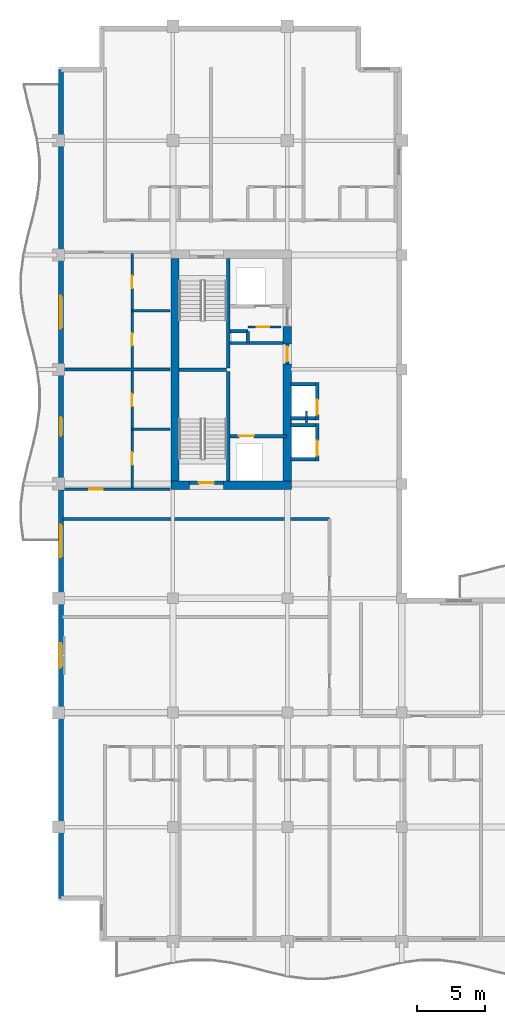
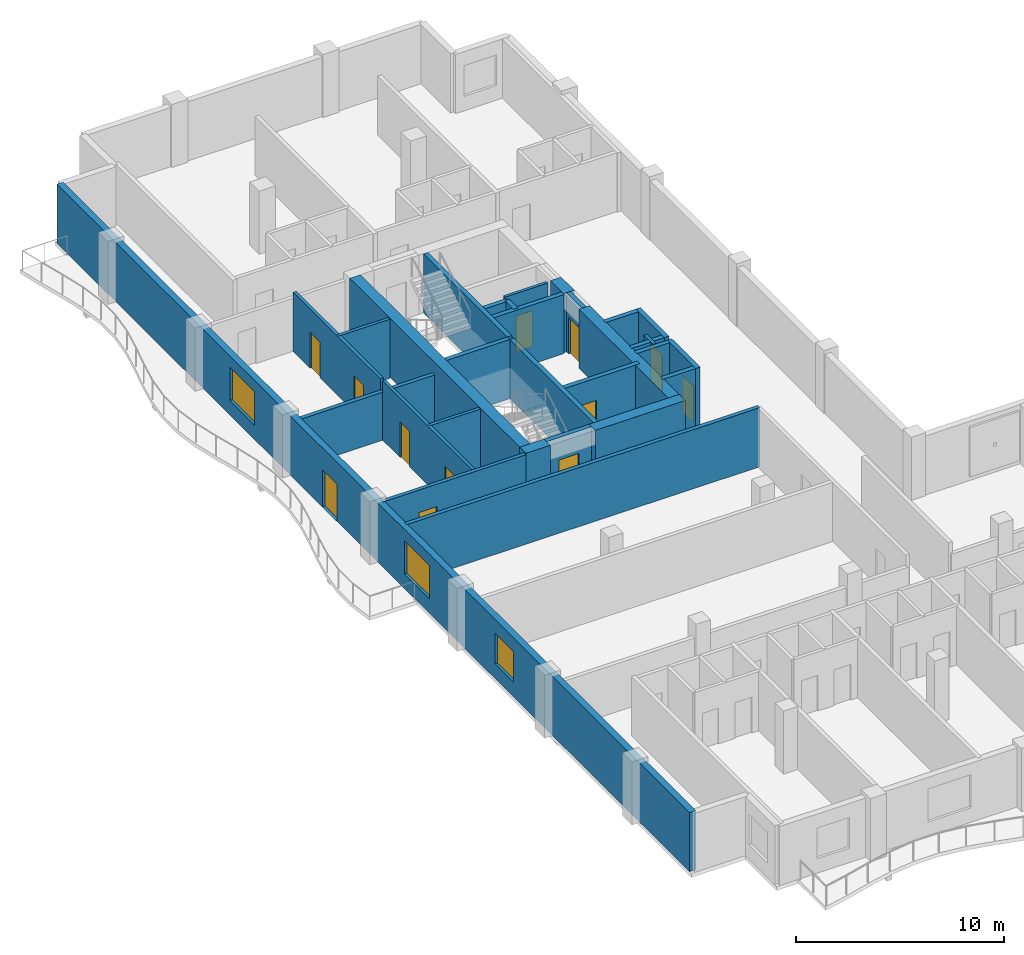
# One storey, part 6 of 12: 30 walls, 12 doors, 3 windows, 15 openings.
"""IFC4 building model written with IfcOpenShell, lengths in metres."""

from ifc_helpers import new_model, si_unit, direction, frame, frame_2d, origin, place, context, subcontext, project, spatial, rectangle, extrude, material, layer, layer_set, type_object, element, fill, save


model = new_model("IFC4")

# Units and contexts
model_context = context("Model", 3, precision=1e-05, world=origin(), true_north=direction((0.0, 1.0)))
body_context = subcontext(model_context, "Body", "Model", "MODEL_VIEW")
ifc_project = project(units=[si_unit("LENGTHUNIT", "METRE"), si_unit("AREAUNIT", "SQUARE_METRE"), si_unit("VOLUMEUNIT", "CUBIC_METRE"), si_unit("PLANEANGLEUNIT", "RADIAN"), si_unit("MASSUNIT", "GRAM", prefix="KILO")], contexts=[model_context])

# Site, building, storey
site_placement = place(None, origin())
site = spatial("IfcSite", under=ifc_project, at=site_placement, CompositionType="ELEMENT")
building_placement = place(site_placement, origin())
building = spatial("IfcBuilding", under=site, at=building_placement, Name="Koriwani Terraces Tower", CompositionType="ELEMENT")
storey_placement = place(building_placement, frame((0.0, 0.0, 278.60009765625)))
storey = spatial("IfcBuildingStorey", under=building, at=storey_placement, Name="L69", CompositionType="ELEMENT", Elevation=278.60009765625)

# Walls
ifc_material_1 = material(Name="Concrete C60/75", Category="concrete")
ifc_layer_1 = layer(ifc_material_1, 0.60009765625, Name="Concrete C60/75")
ifc_layer_set_1 = layer_set([ifc_layer_1], Name="Concrete C60/75")
wall_type_1 = type_object("IfcWallType", Name="WALL_CORE_RC_600", PredefinedType="SHEAR", material=ifc_layer_set_1)
wall_1_placement = place(storey_placement, frame((16.64990234375, 41.89990234375, 0.0), z_axis=(0.0, 0.0, 1.0), x_axis=(1.0, 0.0, 0.0)))
element("IfcWall", 1, at=wall_1_placement, inside=storey, type_object=wall_type_1, Name="L69 West Split Core Shear Wall S1", PredefinedType="SHEAR", context=body_context, shape_type="SweptSolid", body=[
    extrude(rectangle(XDim=1.35009765625, YDim=0.60009765625, at=frame_2d((0.675048828125, 0.0))), origin(), (0.0, 0.0, 1.0), 3.469970703125),
])
wall_2_placement = place(storey_placement, frame((20.5, 41.89990234375, 0.0), z_axis=(0.0, 0.0, 1.0), x_axis=(1.0, 0.0, 0.0)))
element("IfcWall", 2, at=wall_2_placement, inside=storey, type_object=wall_type_1, Name="L69 West Split Core Shear Wall S2", PredefinedType="SHEAR", context=body_context, shape_type="SweptSolid", body=[
    extrude(rectangle(XDim=5.0, YDim=0.60009765625, at=frame_2d((2.5, 0.0))), origin(), (0.0, 0.0, 1.0), 3.469970703125),
])
wall_3_placement = place(storey_placement, frame((16.949951171875, 42.199951171875, 0.0), z_axis=(0.0, 0.0, 1.0), x_axis=(0.0, 1.0, 0.0)))
element("IfcWall", 3, at=wall_3_placement, inside=storey, type_object=wall_type_1, Name="L69 West Split Core Shear Wall W1", PredefinedType="SHEAR", context=body_context, shape_type="SweptSolid", body=[
    extrude(rectangle(XDim=16.35009765625, YDim=0.60009765625, at=frame_2d((8.175048828125, 0.0))), origin(), (0.0, 0.0, 1.0), 3.469970703125),
])
wall_4_placement = place(storey_placement, frame((25.199951171875, 42.199951171875, 0.0), z_axis=(0.0, 0.0, 1.0), x_axis=(0.0, 1.0, 0.0)))
element("IfcWall", 4, at=wall_4_placement, inside=storey, type_object=wall_type_1, Name="L69 West Split Core Shear Wall E1", PredefinedType="SHEAR", context=body_context, shape_type="SweptSolid", body=[
    extrude(rectangle(XDim=8.60009765625, YDim=0.60009765625, at=frame_2d((4.300048828125, 0.0))), origin(), (0.0, 0.0, 1.0), 3.469970703125),
])
wall_5_placement = place(storey_placement, frame((25.199951171875, 52.280029296875, 0.0), z_axis=(0.0, 0.0, 1.0), x_axis=(0.0, 1.0, 0.0)))
element("IfcWall", 5, at=wall_5_placement, inside=storey, type_object=wall_type_1, Name="L69 West Split Core Shear Wall E2", PredefinedType="SHEAR", context=body_context, shape_type="SweptSolid", body=[
    extrude(rectangle(XDim=1.27001953125, YDim=0.60009765625, at=frame_2d((0.635009765625, 0.0))), origin(), (0.0, 0.0, 1.0), 3.469970703125),
])

# Wall, opening, door
ifc_material_2 = material(Name="Autoclaved Cellular Concrete Blockwork", Category="masonry")
ifc_layer_2 = layer(ifc_material_2, 0.199951171875, Name="Autoclaved Cellular Concrete Blockwork")
ifc_layer_set_2 = layer_set([ifc_layer_2], Name="Autoclaved Cellular Concrete Blockwork")
wall_type_2 = type_object("IfcWallType", Name="WALL_CORRIDOR_200", PredefinedType="PARTITIONING", material=ifc_layer_set_2)
wall_6_placement = place(storey_placement, frame((8.64990234375, 41.60009765625, 0.0), z_axis=(0.0, 0.0, 1.0), x_axis=(1.0, 0.0, 0.0)))
wall_6 = element("IfcWall", 6, at=wall_6_placement, inside=storey, type_object=wall_type_2, Name="L69 Interior Wall WRZ4-WS-L69", PredefinedType="PARTITIONING", context=body_context, shape_type="SweptSolid", body=[
    extrude(rectangle(XDim=7.9501953125, YDim=0.199951171875, at=frame_2d((3.97509765625, 0.0))), origin(), (0.0, 0.0, 1.0), 3.469970703125),
])
opening_1_placement = place(wall_6_placement, frame((2.0, 0.0, 0.0)))
opening_1 = element("IfcOpeningElement", 7, at=opening_1_placement, cuts=wall_6, Name="Opening D-05", PredefinedType="OPENING", context=body_context, shape_type="SweptSolid", body=[
    extrude(rectangle(XDim=1.0, YDim=2.14990234375, at=frame_2d((0.5, 1.074951171875))), frame((0.0, 0.10986328125, 0.0), z_axis=(0.0, -1.0, 0.0), x_axis=(1.0, 0.0, 0.0)), (0.0, 0.0, 1.0), 0.219970703125),
])
ifc_material_3 = material(Name="Architectural Oak Fire Door", Category="wood")
door_type_1 = type_object("IfcDoorType", Name="DOOR_SUITE_ENTRY_1000X2150", OperationType="NOTDEFINED", PredefinedType="DOOR", material=ifc_material_3)
door_1_placement = place(opening_1_placement, origin())
door_1 = element("IfcDoor", 8, at=door_1_placement, inside=storey, type_object=door_type_1, Name="Apartment 69RW1 Entrance Door", OperationType="SINGLE_SWING_RIGHT", OverallHeight=2.14990234375, OverallWidth=1.0, PredefinedType="DOOR", context=body_context, shape_type="SweptSolid", body=[
    extrude(rectangle(XDim=1.0, YDim=2.14990234375, at=frame_2d((0.5, 1.074951171875))), frame((0.0, 0.02490234375, 0.0), z_axis=(0.0, -1.0, 0.0), x_axis=(1.0, 0.0, 0.0)), (0.0, 0.0, 1.0), 0.050048828125),
])
fill(opening_1, door_1)

# Walls
ifc_layer_3 = layer(ifc_material_2, 0.219970703125, Name="Autoclaved Cellular Concrete Blockwork")
ifc_layer_set_3 = layer_set([ifc_layer_3], Name="Autoclaved Cellular Concrete Blockwork")
wall_type_3 = type_object("IfcWallType", Name="WALL_DEMISING_220", PredefinedType="PARTITIONING", material=ifc_layer_set_3)
wall_7_placement = place(storey_placement, frame((8.64990234375, 50.39990234375, 0.0), z_axis=(0.0, 0.0, 1.0), x_axis=(1.0, 0.0, 0.0)))
element("IfcWall", 9, at=wall_7_placement, inside=storey, type_object=wall_type_3, Name="L69 Interior Wall WRZ4-WM-L69", PredefinedType="PARTITIONING", context=body_context, shape_type="SweptSolid", body=[
    extrude(rectangle(XDim=7.9501953125, YDim=0.219970703125, at=frame_2d((3.97509765625, 0.0))), origin(), (0.0, 0.0, 1.0), 2.81982421875),
])
wall_8_placement = place(storey_placement, frame((8.699951171875, 39.39990234375, 0.0), z_axis=(0.0, 0.0, 1.0), x_axis=(1.0, 0.0, 0.0)))
element("IfcWall", 10, at=wall_8_placement, inside=storey, type_object=wall_type_3, Name="L69 Interior Wall WZ4NEN-L69", PredefinedType="PARTITIONING", context=body_context, shape_type="SweptSolid", body=[
    extrude(rectangle(XDim=19.60009765625, YDim=0.219970703125, at=frame_2d((9.800048828125, 0.0))), origin(), (0.0, 0.0, 1.0), 3.469970703125),
])

# Wall, openings, door, windows
ifc_material_4 = material(Name="Concrete C50/60", Category="concrete")
ifc_layer_4 = layer(ifc_material_4, 0.35009765625, Name="Concrete C50/60")
ifc_layer_set_4 = layer_set([ifc_layer_4], Name="Concrete C50/60")
wall_type_4 = type_object("IfcWallType", Name="WALL_EXT_BRUTALIST_350", PredefinedType="STANDARD", material=ifc_layer_set_4)
wall_9_placement = place(storey_placement, frame((8.574951171875, 11.574951171875, 0.0), z_axis=(0.0, 0.0, 1.0), x_axis=(0.0, 1.0, 0.0)))
wall_9 = element("IfcWall", 11, at=wall_9_placement, inside=storey, type_object=wall_type_4, Name="L69 Fair-Faced Brutalist Exterior Wall (W)", PredefinedType="STANDARD", context=body_context, shape_type="SweptSolid", body=[
    extrude(rectangle(XDim=60.85009765625, YDim=0.35009765625, at=frame_2d((30.425048828125, 0.0))), origin(), (0.0, 0.0, 1.0), 3.469970703125),
])
opening_2_placement = place(wall_9_placement, frame((33.925048828125, 0.0, 0.0)))
opening_2 = element("IfcOpeningElement", 12, at=opening_2_placement, cuts=wall_9, Name="Opening D-09", PredefinedType="OPENING", context=body_context, shape_type="SweptSolid", body=[
    extrude(rectangle(XDim=1.39990234375, YDim=2.199951171875, at=frame_2d((0.699951171875, 1.10009765625))), frame((0.0, 0.18505859375, 0.0), z_axis=(0.0, -1.0, 0.0), x_axis=(1.0, 0.0, 0.0)), (0.0, 0.0, 1.0), 0.3701171875),
])
opening_3_placement = place(wall_9_placement, frame((16.925048828125, 0.0, 0.85009765625)))
opening_3 = element("IfcOpeningElement", 13, at=opening_3_placement, cuts=wall_9, Name="Opening W-04", PredefinedType="OPENING", context=body_context, shape_type="SweptSolid", body=[
    extrude(rectangle(XDim=1.800048828125, YDim=1.800048828125, at=frame_2d((0.89990234375, 0.89990234375))), frame((0.0, 0.18505859375, 0.0), z_axis=(0.0, -1.0, 0.0), x_axis=(1.0, 0.0, 0.0)), (0.0, 0.0, 1.0), 0.3701171875),
])
opening_4_placement = place(wall_9_placement, frame((25.02490234375, 0.0, 0.85009765625)))
opening_4 = element("IfcOpeningElement", 14, at=opening_4_placement, cuts=wall_9, Name="Opening W-03", PredefinedType="OPENING", context=body_context, shape_type="SweptSolid", body=[
    extrude(rectangle(XDim=2.39990234375, YDim=1.949951171875, at=frame_2d((1.199951171875, 0.97509765625))), frame((0.0, 0.18505859375, 0.0), z_axis=(0.0, -1.0, 0.0), x_axis=(1.0, 0.0, 0.0)), (0.0, 0.0, 1.0), 0.3701171875),
])
opening_5_placement = place(wall_9_placement, frame((41.824951171875, 0.0, 0.85009765625)))
opening_5 = element("IfcOpeningElement", 15, at=opening_5_placement, cuts=wall_9, Name="Opening W-03", PredefinedType="OPENING", context=body_context, shape_type="SweptSolid", body=[
    extrude(rectangle(XDim=2.39990234375, YDim=1.949951171875, at=frame_2d((1.199951171875, 0.97509765625))), frame((0.0, 0.18505859375, 0.0), z_axis=(0.0, -1.0, 0.0), x_axis=(1.0, 0.0, 0.0)), (0.0, 0.0, 1.0), 0.3701171875),
])
ifc_material_5 = material(Name="Anodised Bronze Aluminium", Category="aluminium")
door_type_2 = type_object("IfcDoorType", Name="DOOR_BALCONY_GLAZED_1400X2200", OperationType="NOTDEFINED", PredefinedType="DOOR", material=ifc_material_5)
door_2_placement = place(opening_2_placement, origin())
door_2 = element("IfcDoor", 16, at=door_2_placement, inside=storey, type_object=door_type_2, Name="L69 West Balcony Glazed Door", OperationType="SINGLE_SWING_LEFT", OverallHeight=2.199951171875, OverallWidth=1.39990234375, PredefinedType="DOOR", context=body_context, shape_type="SweptSolid", body=[
    extrude(rectangle(XDim=1.39990234375, YDim=2.199951171875, at=frame_2d((0.699951171875, 1.10009765625))), frame((0.0, 0.02490234375, 0.0), z_axis=(0.0, -1.0, 0.0), x_axis=(1.0, 0.0, 0.0)), (0.0, 0.0, 1.0), 0.050048828125),
])
fill(opening_2, door_2)
ifc_material_6 = material(Name="Tempered Laminated Low-E Glass", Category="glass")
window_type_1 = type_object("IfcWindowType", Name="WIN_RES_BED_1800X1800", PartitioningType="DOUBLE_PANEL_VERTICAL", PredefinedType="WINDOW", material=ifc_material_6)
window_1_placement = place(opening_3_placement, origin())
window_1 = element("IfcWindow", 17, at=window_1_placement, inside=storey, type_object=window_type_1, Name="L69 Exterior Window (W-6)", OverallHeight=1.800048828125, OverallWidth=1.800048828125, PartitioningType="SINGLE_PANEL", PredefinedType="WINDOW", context=body_context, shape_type="SweptSolid", body=[
    extrude(rectangle(XDim=1.800048828125, YDim=1.800048828125, at=frame_2d((0.89990234375, 0.89990234375))), frame((0.0, 0.030029296875, 0.0), z_axis=(0.0, -1.0, 0.0), x_axis=(1.0, 0.0, 0.0)), (0.0, 0.0, 1.0), 0.06005859375),
])
fill(opening_3, window_1)
window_type_2 = type_object("IfcWindowType", Name="WIN_RES_LIVING_2400X1950", PartitioningType="DOUBLE_PANEL_VERTICAL", PredefinedType="WINDOW", material=ifc_material_6)
window_2_placement = place(opening_4_placement, origin())
window_2 = element("IfcWindow", 18, at=window_2_placement, inside=storey, type_object=window_type_2, Name="L69 Exterior Window (W-9)", OverallHeight=1.949951171875, OverallWidth=2.39990234375, PartitioningType="SINGLE_PANEL", PredefinedType="WINDOW", context=body_context, shape_type="SweptSolid", body=[
    extrude(rectangle(XDim=2.39990234375, YDim=1.949951171875, at=frame_2d((1.199951171875, 0.97509765625))), frame((0.0, 0.030029296875, 0.0), z_axis=(0.0, -1.0, 0.0), x_axis=(1.0, 0.0, 0.0)), (0.0, 0.0, 1.0), 0.06005859375),
])
fill(opening_4, window_2)
window_3_placement = place(opening_5_placement, origin())
window_3 = element("IfcWindow", 19, at=window_3_placement, inside=storey, type_object=window_type_2, Name="L69 Exterior Window (W-15)", OverallHeight=1.949951171875, OverallWidth=2.39990234375, PartitioningType="SINGLE_PANEL", PredefinedType="WINDOW", context=body_context, shape_type="SweptSolid", body=[
    extrude(rectangle(XDim=2.39990234375, YDim=1.949951171875, at=frame_2d((1.199951171875, 0.97509765625))), frame((0.0, 0.030029296875, 0.0), z_axis=(0.0, -1.0, 0.0), x_axis=(1.0, 0.0, 0.0)), (0.0, 0.0, 1.0), 0.06005859375),
])
fill(opening_5, window_3)

# Wall, openings, doors
ifc_material_7 = material(Name="Fire-Rated Acoustic Gypsum Partition", Category="masonry")
ifc_layer_5 = layer(ifc_material_7, 0.179931640625, Name="Fire-Rated Acoustic Gypsum Partition")
ifc_layer_set_5 = layer_set([ifc_layer_5], Name="Fire-Rated Acoustic Gypsum Partition")
wall_type_5 = type_object("IfcWallType", Name="WALL_PLUMBING_180", PredefinedType="PLUMBINGWALL", material=ifc_layer_set_5)
wall_10_placement = place(storey_placement, frame((13.800048828125, 41.699951171875, 0.0), z_axis=(0.0, 0.0, 1.0), x_axis=(0.0, 1.0, 0.0)))
wall_10 = element("IfcWall", 20, at=wall_10_placement, inside=storey, type_object=wall_type_5, Name="L69 Interior Wall WRZ4-RW1-PB-L69", PredefinedType="PLUMBINGWALL", context=body_context, shape_type="SweptSolid", body=[
    extrude(rectangle(XDim=8.60009765625, YDim=0.179931640625, at=frame_2d((4.300048828125, 0.0))), origin(), (0.0, 0.0, 1.0), 3.469970703125),
])
opening_6_placement = place(wall_10_placement, frame((1.699951171875, 0.0, 0.0)))
opening_6 = element("IfcOpeningElement", 21, at=opening_6_placement, cuts=wall_10, Name="Opening D-07", PredefinedType="OPENING", context=body_context, shape_type="SweptSolid", body=[
    extrude(rectangle(XDim=0.89990234375, YDim=2.10009765625, at=frame_2d((0.449951171875, 1.050048828125))), frame((0.0, 0.10009765625, 0.0), z_axis=(0.0, -1.0, 0.0), x_axis=(1.0, 0.0, 0.0)), (0.0, 0.0, 1.0), 0.199951171875),
])
opening_7_placement = place(wall_10_placement, frame((5.989990234375, 0.0, 0.0)))
opening_7 = element("IfcOpeningElement", 22, at=opening_7_placement, cuts=wall_10, Name="Opening D-06", PredefinedType="OPENING", context=body_context, shape_type="SweptSolid", body=[
    extrude(rectangle(XDim=0.919921875, YDim=2.10009765625, at=frame_2d((0.4599609375, 1.050048828125))), frame((0.0, 0.10009765625, 0.0), z_axis=(0.0, -1.0, 0.0), x_axis=(1.0, 0.0, 0.0)), (0.0, 0.0, 1.0), 0.199951171875),
])
door_type_3 = type_object("IfcDoorType", Name="DOOR_BATH_INT_900X2100", OperationType="NOTDEFINED", PredefinedType="DOOR", material=ifc_material_3)
door_3_placement = place(opening_6_placement, origin())
door_3 = element("IfcDoor", 23, at=door_3_placement, inside=storey, type_object=door_type_3, Name="Apartment 69RW1 Bathroom Door", OperationType="SINGLE_SWING_RIGHT", OverallHeight=2.10009765625, OverallWidth=0.89990234375, PredefinedType="DOOR", context=body_context, shape_type="SweptSolid", body=[
    extrude(rectangle(XDim=0.89990234375, YDim=2.10009765625, at=frame_2d((0.449951171875, 1.050048828125))), frame((0.0, 0.02490234375, 0.0), z_axis=(0.0, -1.0, 0.0), x_axis=(1.0, 0.0, 0.0)), (0.0, 0.0, 1.0), 0.050048828125),
])
fill(opening_6, door_3)
door_type_4 = type_object("IfcDoorType", Name="DOOR_ROOM_INT_920X2100", OperationType="NOTDEFINED", PredefinedType="DOOR", material=ifc_material_3)
door_4_placement = place(opening_7_placement, origin())
door_4 = element("IfcDoor", 24, at=door_4_placement, inside=storey, type_object=door_type_4, Name="Apartment 69RW1 Kitchen Door", OperationType="SINGLE_SWING_LEFT", OverallHeight=2.10009765625, OverallWidth=0.919921875, PredefinedType="DOOR", context=body_context, shape_type="SweptSolid", body=[
    extrude(rectangle(XDim=0.919921875, YDim=2.10009765625, at=frame_2d((0.4599609375, 1.050048828125))), frame((0.0, 0.02490234375, 0.0), z_axis=(0.0, -1.0, 0.0), x_axis=(1.0, 0.0, 0.0)), (0.0, 0.0, 1.0), 0.050048828125),
])
fill(opening_7, door_4)

# Wall
wall_11_placement = place(storey_placement, frame((13.800048828125, 46.0, 0.0), z_axis=(0.0, 0.0, 1.0), x_axis=(1.0, 0.0, 0.0)))
element("IfcWall", 25, at=wall_11_placement, inside=storey, type_object=wall_type_5, Name="L69 Interior Wall WRZ4-RW1-P2-L69", PredefinedType="PLUMBINGWALL", context=body_context, shape_type="SweptSolid", body=[
    extrude(rectangle(XDim=2.800048828125, YDim=0.179931640625, at=frame_2d((1.39990234375, 0.0))), origin(), (0.0, 0.0, 1.0), 3.469970703125),
])

# Wall, openings, doors
wall_12_placement = place(storey_placement, frame((13.800048828125, 50.5, 0.0), z_axis=(0.0, 0.0, 1.0), x_axis=(0.0, 1.0, 0.0)))
wall_12 = element("IfcWall", 26, at=wall_12_placement, inside=storey, type_object=wall_type_5, Name="L69 Interior Wall WRZ4-RW2-PB-L69", PredefinedType="PLUMBINGWALL", context=body_context, shape_type="SweptSolid", body=[
    extrude(rectangle(XDim=8.39990234375, YDim=0.179931640625, at=frame_2d((4.199951171875, 0.0))), origin(), (0.0, 0.0, 1.0), 3.469970703125),
])
opening_8_placement = place(wall_12_placement, frame((1.64990234375, 0.0, 0.0)))
opening_8 = element("IfcOpeningElement", 27, at=opening_8_placement, cuts=wall_12, Name="Opening D-07", PredefinedType="OPENING", context=body_context, shape_type="SweptSolid", body=[
    extrude(rectangle(XDim=0.89990234375, YDim=2.10009765625, at=frame_2d((0.449951171875, 1.050048828125))), frame((0.0, 0.10009765625, 0.0), z_axis=(0.0, -1.0, 0.0), x_axis=(1.0, 0.0, 0.0)), (0.0, 0.0, 1.0), 0.199951171875),
])
opening_9_placement = place(wall_12_placement, frame((5.840087890625, 0.0, 0.0)))
opening_9 = element("IfcOpeningElement", 28, at=opening_9_placement, cuts=wall_12, Name="Opening D-06", PredefinedType="OPENING", context=body_context, shape_type="SweptSolid", body=[
    extrude(rectangle(XDim=0.919921875, YDim=2.10009765625, at=frame_2d((0.4599609375, 1.050048828125))), frame((0.0, 0.10009765625, 0.0), z_axis=(0.0, -1.0, 0.0), x_axis=(1.0, 0.0, 0.0)), (0.0, 0.0, 1.0), 0.199951171875),
])
door_5_placement = place(opening_8_placement, origin())
door_5 = element("IfcDoor", 29, at=door_5_placement, inside=storey, type_object=door_type_3, Name="Apartment 69RW2 Bathroom Door", OperationType="SINGLE_SWING_RIGHT", OverallHeight=2.10009765625, OverallWidth=0.89990234375, PredefinedType="DOOR", context=body_context, shape_type="SweptSolid", body=[
    extrude(rectangle(XDim=0.89990234375, YDim=2.10009765625, at=frame_2d((0.449951171875, 1.050048828125))), frame((0.0, 0.02490234375, 0.0), z_axis=(0.0, -1.0, 0.0), x_axis=(1.0, 0.0, 0.0)), (0.0, 0.0, 1.0), 0.050048828125),
])
fill(opening_8, door_5)
door_6_placement = place(opening_9_placement, origin())
door_6 = element("IfcDoor", 30, at=door_6_placement, inside=storey, type_object=door_type_4, Name="Apartment 69RW2 Kitchen Door", OperationType="SINGLE_SWING_LEFT", OverallHeight=2.10009765625, OverallWidth=0.919921875, PredefinedType="DOOR", context=body_context, shape_type="SweptSolid", body=[
    extrude(rectangle(XDim=0.919921875, YDim=2.10009765625, at=frame_2d((0.4599609375, 1.050048828125))), frame((0.0, 0.02490234375, 0.0), z_axis=(0.0, -1.0, 0.0), x_axis=(1.0, 0.0, 0.0)), (0.0, 0.0, 1.0), 0.050048828125),
])
fill(opening_9, door_6)

# Walls
wall_13_placement = place(storey_placement, frame((13.800048828125, 54.699951171875, 0.0), z_axis=(0.0, 0.0, 1.0), x_axis=(1.0, 0.0, 0.0)))
element("IfcWall", 31, at=wall_13_placement, inside=storey, type_object=wall_type_5, Name="L69 Interior Wall WRZ4-RW2-P2-L69", PredefinedType="PLUMBINGWALL", context=body_context, shape_type="SweptSolid", body=[
    extrude(rectangle(XDim=2.800048828125, YDim=0.179931640625, at=frame_2d((1.39990234375, 0.0))), origin(), (0.0, 0.0, 1.0), 3.469970703125),
])
ifc_material_8 = material(Name="Concrete C40/50", Category="concrete")
ifc_layer_6 = layer(ifc_material_8, 0.25, Name="Concrete C40/50")
ifc_layer_set_6 = layer_set([ifc_layer_6], Name="Concrete C40/50")
wall_type_6 = type_object("IfcWallType", Name="WALL_SHAFT_RATED_250", PredefinedType="SOLIDWALL", material=ifc_layer_set_6)
for number, where, z_axis, x_axis, name in (
    (32, (20.875, 42.199951171875, 0.0), (0.0, 0.0, 1.0), (0.0, 1.0, 0.0), "L69 West Split Core Web Wall MID1"),
    (33, (20.875, 50.5, 0.0), (0.0, 0.0, 1.0), (0.0, 1.0, 0.0), "L69 West Split Core Web Wall MID2"),
):
    element("IfcWall", number, at=place(storey_placement, frame(where, z_axis=z_axis, x_axis=x_axis)), inside=storey, type_object=wall_type_6, Name=name, PredefinedType="SOLIDWALL", context=body_context, shape_type="SweptSolid", body=[
        extrude(rectangle(XDim=8.050048828125, YDim=0.25, at=frame_2d((4.02490234375, 0.0))), origin(), (0.0, 0.0, 1.0), 3.469970703125),
    ])
wall_14_placement = place(storey_placement, frame((17.25, 50.375, 0.0), z_axis=(0.0, 0.0, 1.0), x_axis=(1.0, 0.0, 0.0)))
element("IfcWall", 34, at=wall_14_placement, inside=storey, type_object=wall_type_6, Name="L69 West Split Core Stair Dividing Wall", PredefinedType="SOLIDWALL", context=body_context, shape_type="SweptSolid", body=[
    extrude(rectangle(XDim=3.5, YDim=0.25, at=frame_2d((1.75, 0.0))), origin(), (0.0, 0.0, 1.0), 3.469970703125),
])

# Wall, opening, door
wall_15_placement = place(storey_placement, frame((18.0, 42.074951171875, 0.0), z_axis=(0.0, 0.0, 1.0), x_axis=(1.0, 0.0, 0.0)))
wall_15 = element("IfcWall", 35, at=wall_15_placement, inside=storey, type_object=wall_type_6, Name="L69 Interior Wall WIN-CW-L69-STS", PredefinedType="SOLIDWALL", context=body_context, shape_type="SweptSolid", body=[
    extrude(rectangle(XDim=2.5, YDim=0.25, at=frame_2d((1.25, 0.0))), origin(), (0.0, 0.0, 1.0), 3.469970703125),
])
opening_10_placement = place(wall_15_placement, frame((0.699951171875, 0.0, 0.0)))
opening_10 = element("IfcOpeningElement", 36, at=opening_10_placement, cuts=wall_15, Name="Opening D-03", PredefinedType="OPENING", context=body_context, shape_type="SweptSolid", body=[
    extrude(rectangle(XDim=1.10009765625, YDim=2.14990234375, at=frame_2d((0.550048828125, 1.074951171875))), frame((0.0, 0.135009765625, 0.0), z_axis=(0.0, -1.0, 0.0), x_axis=(1.0, 0.0, 0.0)), (0.0, 0.0, 1.0), 0.27001953125),
])
ifc_material_9 = material(Name="Steel ASTM A572 Grade 50", Category="steel")
door_type_5 = type_object("IfcDoorType", Name="DOOR_STAIR_FIRE_1100X2150", OperationType="NOTDEFINED", PredefinedType="DOOR", material=ifc_material_9)
door_7_placement = place(opening_10_placement, origin())
door_7 = element("IfcDoor", 37, at=door_7_placement, inside=storey, type_object=door_type_5, Name="L69 Exit Stair ST-W1 Door", OperationType="SINGLE_SWING_LEFT", OverallHeight=2.14990234375, OverallWidth=1.10009765625, PredefinedType="DOOR", context=body_context, shape_type="SweptSolid", body=[
    extrude(rectangle(XDim=1.10009765625, YDim=2.14990234375, at=frame_2d((0.550048828125, 1.074951171875))), frame((0.0, 0.02490234375, 0.0), z_axis=(0.0, -1.0, 0.0), x_axis=(1.0, 0.0, 0.0)), (0.0, 0.0, 1.0), 0.050048828125),
])
fill(opening_10, door_7)

wall_16_placement = place(storey_placement, frame((21.0, 45.5, 0.0), z_axis=(0.0, 0.0, 1.0), x_axis=(1.0, 0.0, 0.0)))
wall_16 = element("IfcWall", 38, at=wall_16_placement, inside=storey, type_object=wall_type_6, Name="L69 Interior Wall WIN-CW-L69-FE", PredefinedType="SOLIDWALL", context=body_context, shape_type="SweptSolid", body=[
    extrude(rectangle(XDim=4.14990234375, YDim=0.25, at=frame_2d((2.074951171875, 0.0))), origin(), (0.0, 0.0, 1.0), 3.469970703125),
])
opening_11_placement = place(wall_16_placement, frame((0.64990234375, 0.0, 0.0)))
opening_11 = element("IfcOpeningElement", 39, at=opening_11_placement, cuts=wall_16, Name="Opening LD-01", PredefinedType="OPENING", context=body_context, shape_type="SweptSolid", body=[
    extrude(rectangle(XDim=1.10009765625, YDim=2.14990234375, at=frame_2d((0.550048828125, 1.074951171875))), frame((0.0, 0.135009765625, 0.0), z_axis=(0.0, -1.0, 0.0), x_axis=(1.0, 0.0, 0.0)), (0.0, 0.0, 1.0), 0.27001953125),
])
door_type_6 = type_object("IfcDoorType", Name="DOOR_LIFT_LANDING_1100X2200", OperationType="NOTDEFINED", PredefinedType="DOOR", material=ifc_material_9)
door_8_placement = place(opening_11_placement, origin())
door_8 = element("IfcDoor", 40, at=door_8_placement, inside=storey, type_object=door_type_6, Name="L69 Firefighting Lift FE-01 Landing Door", OperationType="SLIDING_TO_LEFT", OverallHeight=2.14990234375, OverallWidth=1.10009765625, PredefinedType="DOOR", context=body_context, shape_type="SweptSolid", body=[
    extrude(rectangle(XDim=1.10009765625, YDim=2.14990234375, at=frame_2d((0.550048828125, 1.074951171875))), frame((0.0, 0.02490234375, 0.0), z_axis=(0.0, -1.0, 0.0), x_axis=(1.0, 0.0, 0.0)), (0.0, 0.0, 1.0), 0.050048828125),
])
fill(opening_11, door_8)

wall_17_placement = place(storey_placement, frame((25.199951171875, 50.800048828125, 0.0), z_axis=(0.0, 0.0, 1.0), x_axis=(0.0, 1.0, 0.0)))
wall_17 = element("IfcWall", 41, at=wall_17_placement, inside=storey, type_object=wall_type_6, Name="L69 Interior Wall WIN-CW-L69-EP", PredefinedType="SOLIDWALL", context=body_context, shape_type="SweptSolid", body=[
    extrude(rectangle(XDim=1.47998046875, YDim=0.25, at=frame_2d((0.739990234375, 0.0))), origin(), (0.0, 0.0, 1.0), 3.469970703125),
])
opening_12_placement = place(wall_17_placement, frame((0.179931640625, 0.0, 0.0)))
opening_12 = element("IfcOpeningElement", 42, at=opening_12_placement, cuts=wall_17, Name="Opening D-03", PredefinedType="OPENING", context=body_context, shape_type="SweptSolid", body=[
    extrude(rectangle(XDim=1.10009765625, YDim=2.14990234375, at=frame_2d((0.550048828125, 1.074951171875))), frame((0.0, 0.135009765625, 0.0), z_axis=(0.0, -1.0, 0.0), x_axis=(1.0, 0.0, 0.0)), (0.0, 0.0, 1.0), 0.27001953125),
])
door_9_placement = place(opening_12_placement, origin())
door_9 = element("IfcDoor", 43, at=door_9_placement, inside=storey, type_object=door_type_5, Name="L69 West Firefighting Lobby Door", OperationType="SINGLE_SWING_LEFT", OverallHeight=2.14990234375, OverallWidth=1.10009765625, PredefinedType="DOOR", context=body_context, shape_type="SweptSolid", body=[
    extrude(rectangle(XDim=1.10009765625, YDim=2.14990234375, at=frame_2d((0.550048828125, 1.074951171875))), frame((0.0, 0.02490234375, 0.0), z_axis=(0.0, -1.0, 0.0), x_axis=(1.0, 0.0, 0.0)), (0.0, 0.0, 1.0), 0.050048828125),
])
fill(opening_12, door_9)

# Walls
wall_18_placement = place(storey_placement, frame((21.0, 52.340087890625, 0.0), z_axis=(0.0, 0.0, 1.0), x_axis=(1.0, 0.0, 0.0)))
element("IfcWall", 44, at=wall_18_placement, inside=storey, type_object=wall_type_6, Name="L69 Interior Wall WIN-CW-L69-FFN", PredefinedType="SOLIDWALL", context=body_context, shape_type="SweptSolid", body=[
    extrude(rectangle(XDim=3.89990234375, YDim=0.25, at=frame_2d((1.949951171875, 0.0))), origin(), (0.0, 0.0, 1.0), 3.469970703125),
])
wall_19_placement = place(storey_placement, frame((21.0, 53.199951171875, 0.0), z_axis=(0.0, 0.0, 1.0), x_axis=(1.0, 0.0, 0.0)))
element("IfcWall", 45, at=wall_19_placement, inside=storey, type_object=wall_type_6, Name="L69 Interior Wall WIN-CW-L69-RS1", PredefinedType="SOLIDWALL", context=body_context, shape_type="SweptSolid", body=[
    extrude(rectangle(XDim=1.300048828125, YDim=0.25, at=frame_2d((0.64990234375, 0.0))), origin(), (0.0, 0.0, 1.0), 3.469970703125),
])
wall_20_placement = place(storey_placement, frame((22.300048828125, 52.360107421875, 0.0), z_axis=(0.0, 0.0, 1.0), x_axis=(0.0, 1.0, 0.0)))
element("IfcWall", 46, at=wall_20_placement, inside=storey, type_object=wall_type_6, Name="L69 Interior Wall WIN-CW-L69-RS2", PredefinedType="SOLIDWALL", context=body_context, shape_type="SweptSolid", body=[
    extrude(rectangle(XDim=0.83984375, YDim=0.25, at=frame_2d((0.419921875, 0.0))), origin(), (0.0, 0.0, 1.0), 3.469970703125),
])

# Wall, opening, door
wall_21_placement = place(storey_placement, frame((27.39990234375, 43.675048828125, 0.0), z_axis=(0.0, 0.0, 1.0), x_axis=(0.0, 1.0, 0.0)))
wall_21 = element("IfcWall", 47, at=wall_21_placement, inside=storey, type_object=wall_type_6, Name="L69 Interior Wall WIN-LF-PE-H1-L69-F", PredefinedType="SOLIDWALL", context=body_context, shape_type="SweptSolid", body=[
    extrude(rectangle(XDim=2.75, YDim=0.25, at=frame_2d((1.375, 0.0))), origin(), (0.0, 0.0, 1.0), 3.469970703125),
])
opening_13_placement = place(wall_21_placement, frame((0.39990234375, 0.0, 0.0)))
opening_13 = element("IfcOpeningElement", 48, at=opening_13_placement, cuts=wall_21, Name="Opening LD-01", PredefinedType="OPENING", context=body_context, shape_type="SweptSolid", body=[
    extrude(rectangle(XDim=1.10009765625, YDim=2.14990234375, at=frame_2d((0.550048828125, 1.074951171875))), frame((0.0, 0.135009765625, 0.0), z_axis=(0.0, -1.0, 0.0), x_axis=(1.0, 0.0, 0.0)), (0.0, 0.0, 1.0), 0.27001953125),
])
door_10_placement = place(opening_13_placement, origin())
door_10 = element("IfcDoor", 49, at=door_10_placement, inside=storey, type_object=door_type_6, Name="L69 Passenger Lift PE-H1 Landing Door", OperationType="SLIDING_TO_LEFT", OverallHeight=2.14990234375, OverallWidth=1.10009765625, PredefinedType="DOOR", context=body_context, shape_type="SweptSolid", body=[
    extrude(rectangle(XDim=1.10009765625, YDim=2.14990234375, at=frame_2d((0.550048828125, 1.074951171875))), frame((0.0, 0.02490234375, 0.0), z_axis=(0.0, -1.0, 0.0), x_axis=(1.0, 0.0, 0.0)), (0.0, 0.0, 1.0), 0.050048828125),
])
fill(opening_13, door_10)

# Walls
for number, where, z_axis, x_axis, name in (
    (50, (25.449951171875, 43.800048828125, 0.0), (0.0, 0.0, 1.0), (1.0, 0.0, 0.0), "L69 Interior Wall WIN-LF-PE-H1-L69-S"),
    (51, (25.449951171875, 46.300048828125, 0.0), (0.0, 0.0, 1.0), (1.0, 0.0, 0.0), "L69 Interior Wall WIN-LF-PE-H1-L69-N"),
):
    element("IfcWall", number, at=place(storey_placement, frame(where, z_axis=z_axis, x_axis=x_axis)), inside=storey, type_object=wall_type_6, Name=name, PredefinedType="SOLIDWALL", context=body_context, shape_type="SweptSolid", body=[
        extrude(rectangle(XDim=1.824951171875, YDim=0.25, at=frame_2d((0.91259765625, 0.0))), origin(), (0.0, 0.0, 1.0), 3.469970703125),
    ])

# Wall, opening, door
wall_22_placement = place(storey_placement, frame((27.39990234375, 46.675048828125, 0.0), z_axis=(0.0, 0.0, 1.0), x_axis=(0.0, 1.0, 0.0)))
wall_22 = element("IfcWall", 52, at=wall_22_placement, inside=storey, type_object=wall_type_6, Name="L69 Interior Wall WIN-LF-PE-H2-L69-F", PredefinedType="SOLIDWALL", context=body_context, shape_type="SweptSolid", body=[
    extrude(rectangle(XDim=2.75, YDim=0.25, at=frame_2d((1.375, 0.0))), origin(), (0.0, 0.0, 1.0), 3.469970703125),
])
opening_14_placement = place(wall_22_placement, frame((0.39990234375, 0.0, 0.0)))
opening_14 = element("IfcOpeningElement", 53, at=opening_14_placement, cuts=wall_22, Name="Opening LD-01", PredefinedType="OPENING", context=body_context, shape_type="SweptSolid", body=[
    extrude(rectangle(XDim=1.10009765625, YDim=2.14990234375, at=frame_2d((0.550048828125, 1.074951171875))), frame((0.0, 0.135009765625, 0.0), z_axis=(0.0, -1.0, 0.0), x_axis=(1.0, 0.0, 0.0)), (0.0, 0.0, 1.0), 0.27001953125),
])
door_11_placement = place(opening_14_placement, origin())
door_11 = element("IfcDoor", 54, at=door_11_placement, inside=storey, type_object=door_type_6, Name="L69 Passenger Lift PE-H2 Landing Door", OperationType="SLIDING_TO_LEFT", OverallHeight=2.14990234375, OverallWidth=1.10009765625, PredefinedType="DOOR", context=body_context, shape_type="SweptSolid", body=[
    extrude(rectangle(XDim=1.10009765625, YDim=2.14990234375, at=frame_2d((0.550048828125, 1.074951171875))), frame((0.0, 0.02490234375, 0.0), z_axis=(0.0, -1.0, 0.0), x_axis=(1.0, 0.0, 0.0)), (0.0, 0.0, 1.0), 0.050048828125),
])
fill(opening_14, door_11)

# Walls
for number, where, z_axis, x_axis, name in (
    (55, (25.449951171875, 46.800048828125, 0.0), (0.0, 0.0, 1.0), (1.0, 0.0, 0.0), "L69 Interior Wall WIN-LF-PE-H2-L69-S"),
    (56, (25.449951171875, 49.300048828125, 0.0), (0.0, 0.0, 1.0), (1.0, 0.0, 0.0), "L69 Interior Wall WIN-LF-PE-H2-L69-N"),
):
    element("IfcWall", number, at=place(storey_placement, frame(where, z_axis=z_axis, x_axis=x_axis)), inside=storey, type_object=wall_type_6, Name=name, PredefinedType="SOLIDWALL", context=body_context, shape_type="SweptSolid", body=[
        extrude(rectangle(XDim=1.824951171875, YDim=0.25, at=frame_2d((0.91259765625, 0.0))), origin(), (0.0, 0.0, 1.0), 3.469970703125),
    ])

# Wall, opening, door
ifc_layer_7 = layer(ifc_material_7, 0.159912109375, Name="Fire-Rated Acoustic Gypsum Partition")
ifc_layer_set_7 = layer_set([ifc_layer_7], Name="Fire-Rated Acoustic Gypsum Partition")
wall_type_7 = type_object("IfcWallType", Name="WALL_SUITE_160", PredefinedType="PARTITIONING", material=ifc_layer_set_7)
wall_23_placement = place(storey_placement, frame((22.320068359375, 53.52001953125, 0.0), z_axis=(0.0, 0.0, 1.0), x_axis=(1.0, 0.0, 0.0)))
wall_23 = element("IfcWall", 57, at=wall_23_placement, inside=storey, type_object=wall_type_7, Name="L69 Interior Wall WIN-CW-L69-SV0", PredefinedType="PARTITIONING", context=body_context, shape_type="SweptSolid", body=[
    extrude(rectangle(XDim=2.39990234375, YDim=0.159912109375, at=frame_2d((1.199951171875, 0.0))), origin(), (0.0, 0.0, 1.0), 3.469970703125),
])
opening_15_placement = place(wall_23_placement, frame((0.64990234375, 0.0, 0.0)))
opening_15 = element("IfcOpeningElement", 58, at=opening_15_placement, cuts=wall_23, Name="Opening D-07", PredefinedType="OPENING", context=body_context, shape_type="SweptSolid", body=[
    extrude(rectangle(XDim=0.89990234375, YDim=2.10009765625, at=frame_2d((0.449951171875, 1.050048828125))), frame((0.0, 0.08984375, 0.0), z_axis=(0.0, -1.0, 0.0), x_axis=(1.0, 0.0, 0.0)), (0.0, 0.0, 1.0), 0.179931640625),
])
door_12_placement = place(opening_15_placement, origin())
door_12 = element("IfcDoor", 59, at=door_12_placement, inside=storey, type_object=door_type_3, Name="L69 West Electrical Switch Room Door", OperationType="SINGLE_SWING_LEFT", OverallHeight=2.10009765625, OverallWidth=0.89990234375, PredefinedType="DOOR", context=body_context, shape_type="SweptSolid", body=[
    extrude(rectangle(XDim=0.89990234375, YDim=2.10009765625, at=frame_2d((0.449951171875, 1.050048828125))), frame((0.0, 0.02490234375, 0.0), z_axis=(0.0, -1.0, 0.0), x_axis=(1.0, 0.0, 0.0)), (0.0, 0.0, 1.0), 0.050048828125),
])
fill(opening_15, door_12)

# Wall
wall_24_placement = place(storey_placement, frame((26.60009765625, 46.4599609375, 0.0), z_axis=(0.0, 0.0, 1.0), x_axis=(0.0, 1.0, 0.0)))
element("IfcWall", 60, at=wall_24_placement, inside=storey, type_object=wall_type_7, Name="L69 Interior Wall WIN-LF-PEH12-MID-L69", PredefinedType="PARTITIONING", context=body_context, shape_type="SweptSolid", body=[
    extrude(rectangle(XDim=0.880126953125, YDim=0.159912109375, at=frame_2d((0.43994140625, 0.0))), origin(), (0.0, 0.0, 1.0), 3.469970703125),
])

save(model, "model.ifc")
